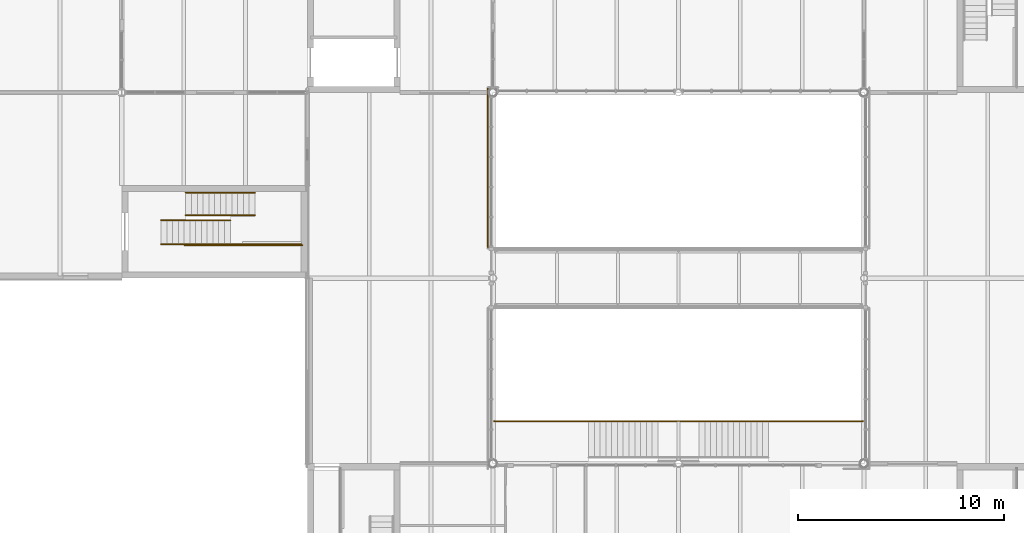
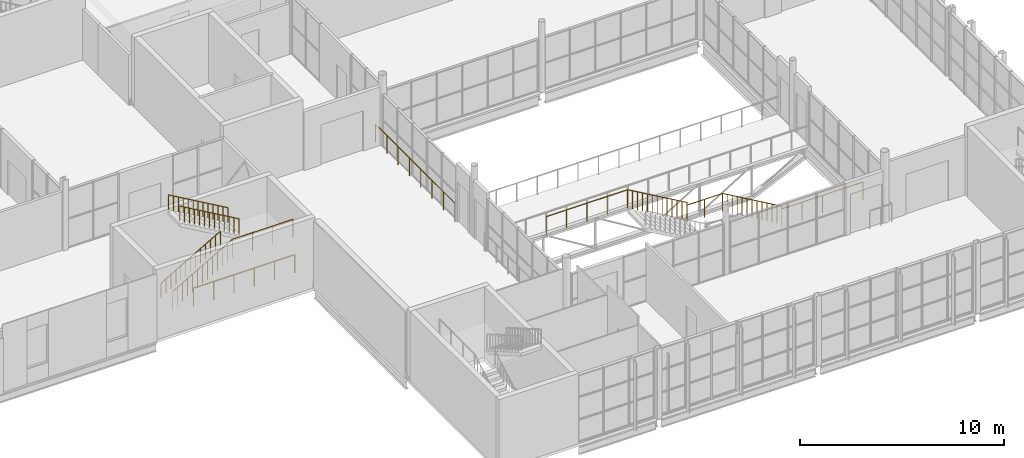
# One storey, part 57 of 61: 8 railings.
"""IFC4 building model written with IfcOpenShell, lengths in metres."""

from ifc_helpers import new_model, si_unit, direction, frame, origin, origin_2d, place, context, subcontext, project, spatial, circle, extrude, material, type_object, element, save


model = new_model("IFC4")

# Units and contexts
model_context = context("Model", 3, precision=1e-05, world=origin(), true_north=direction((0.0, 1.0)))
body_context = subcontext(model_context, "Body", "Model", "MODEL_VIEW")
ifc_project = project(units=[si_unit("LENGTHUNIT", "METRE"), si_unit("AREAUNIT", "SQUARE_METRE"), si_unit("VOLUMEUNIT", "CUBIC_METRE"), si_unit("PLANEANGLEUNIT", "RADIAN"), si_unit("MASSUNIT", "GRAM", prefix="KILO")], contexts=[model_context])

# Site, building, storey
site_placement = place(None, origin())
site = spatial("IfcSite", under=ifc_project, at=site_placement, CompositionType="ELEMENT")
building_placement = place(site_placement, origin())
building = spatial("IfcBuilding", under=site, at=building_placement, Name="Halyard Row Museum", CompositionType="ELEMENT")
storey_placement = place(building_placement, frame((0.0, 0.0, 9.199951171875)))
storey = spatial("IfcBuildingStorey", under=building, at=storey_placement, Name="L02", CompositionType="ELEMENT", Elevation=9.199951171875)

# Railings
ifc_material_1 = material(Name="Steel Grade 300", Category="steel")
railing_type_1 = type_object("IfcRailingType", Name="Guard GR2 steel balustrade 1100", PredefinedType="GUARDRAIL", material=ifc_material_1)
railing_1_placement = place(storey_placement, frame((64.89990234375, 19.64990234375, 0.16162109375)))
element("IfcRailing", 1, at=railing_1_placement, inside=storey, type_object=railing_type_1, Name="Guard GR025", PredefinedType="GUARDRAIL", context=body_context, shape_type="SweptSolid", body=[
    extrude(circle(Radius=0.02392578125, at=origin_2d()), frame((0.0, 0.0, 1.076171875), z_axis=(0.86609757561, 0.0, 0.499874973892), x_axis=(0.0, 1.0, 0.0)), (0.0, 0.0, 1.0), 0.3232421875),
    extrude(circle(Radius=0.02392578125, at=origin_2d()), frame((0.280029296875, 0.0, 1.23779296875), z_axis=(0.866424426198, 0.0, 0.49930823515), x_axis=(0.0, 1.0, 0.0)), (0.0, 0.0, 1.0), 0.3232421875),
    extrude(circle(Radius=0.02392578125, at=origin_2d()), frame((0.56005859375, 0.0, 1.39892578125), z_axis=(0.86609757561, 0.0, 0.499874973892), x_axis=(0.0, 1.0, 0.0)), (0.0, 0.0, 1.0), 0.3232421875),
    extrude(circle(Radius=0.02392578125, at=origin_2d()), frame((0.840087890625, 0.0, 1.560546875), z_axis=(0.86609757561, 0.0, 0.499874973892), x_axis=(0.0, 1.0, 0.0)), (0.0, 0.0, 1.0), 0.3232421875),
    extrude(circle(Radius=0.02392578125, at=origin_2d()), frame((1.1201171875, 0.0, 1.72216796875), z_axis=(0.866424426198, 0.0, 0.49930823515), x_axis=(0.0, 1.0, 0.0)), (0.0, 0.0, 1.0), 0.3232421875),
    extrude(circle(Radius=0.02392578125, at=origin_2d()), frame((1.400146484375, 0.0, 1.8837890625), z_axis=(0.86609757561, 0.0, 0.499874973892), x_axis=(0.0, 1.0, 0.0)), (0.0, 0.0, 1.0), 0.3232421875),
    extrude(circle(Radius=0.02392578125, at=origin_2d()), frame((1.68017578125, 0.0, 2.04541015625), z_axis=(0.866424426198, 0.0, 0.49930823515), x_axis=(0.0, 1.0, 0.0)), (0.0, 0.0, 1.0), 0.3232421875),
    extrude(circle(Radius=0.02392578125, at=origin_2d()), frame((1.960205078125, 0.0, 2.20654296875), z_axis=(0.865908710228, 0.0, 0.500202064721), x_axis=(0.0, 1.0, 0.0)), (0.0, 0.0, 1.0), 0.322998046875),
    extrude(circle(Radius=0.02392578125, at=origin_2d()), frame((2.239990234375, 0.0, 2.3681640625), z_axis=(0.86609757561, 0.0, 0.499874973892), x_axis=(0.0, 1.0, 0.0)), (0.0, 0.0, 1.0), 0.3232421875),
    extrude(circle(Radius=0.02392578125, at=origin_2d()), frame((2.52001953125, 0.0, 2.52978515625), z_axis=(0.866424426198, 0.0, 0.49930823515), x_axis=(0.0, 1.0, 0.0)), (0.0, 0.0, 1.0), 0.3232421875),
    extrude(circle(Radius=0.02392578125, at=origin_2d()), frame((2.800048828125, 0.0, 2.69140625), z_axis=(0.86609757561, 0.0, 0.499874973892), x_axis=(0.0, 1.0, 0.0)), (0.0, 0.0, 1.0), 0.3232421875),
    extrude(circle(Radius=0.02392578125, at=origin_2d()), frame((3.080078125, 0.0, 2.85302734375), z_axis=(0.86609757561, 0.0, 0.499874973892), x_axis=(0.0, 1.0, 0.0)), (0.0, 0.0, 1.0), 0.3232421875),
    extrude(circle(Radius=0.02099609375, at=origin_2d()), origin(), (0.0, 0.0, 1.0), 1.052001953125),
    extrude(circle(Radius=0.02099609375, at=origin_2d()), frame((0.280029296875, 0.0, 0.16162109375)), (0.0, 0.0, 1.0), 1.052001953125),
    extrude(circle(Radius=0.02099609375, at=origin_2d()), frame((0.56005859375, 0.0, 0.322998046875)), (0.0, 0.0, 1.0), 1.052001953125),
    extrude(circle(Radius=0.02099609375, at=origin_2d()), frame((0.840087890625, 0.0, 0.484619140625)), (0.0, 0.0, 1.0), 1.052001953125),
    extrude(circle(Radius=0.02099609375, at=origin_2d()), frame((1.1201171875, 0.0, 0.646240234375)), (0.0, 0.0, 1.0), 1.052001953125),
    extrude(circle(Radius=0.02099609375, at=origin_2d()), frame((1.400146484375, 0.0, 0.8076171875)), (0.0, 0.0, 1.0), 1.052001953125),
    extrude(circle(Radius=0.02099609375, at=origin_2d()), frame((1.68017578125, 0.0, 0.96923828125)), (0.0, 0.0, 1.0), 1.052001953125),
    extrude(circle(Radius=0.02099609375, at=origin_2d()), frame((1.960205078125, 0.0, 1.130615234375)), (0.0, 0.0, 1.0), 1.052001953125),
    extrude(circle(Radius=0.02099609375, at=origin_2d()), frame((2.239990234375, 0.0, 1.292236328125)), (0.0, 0.0, 1.0), 1.052001953125),
    extrude(circle(Radius=0.02099609375, at=origin_2d()), frame((2.52001953125, 0.0, 1.453857421875)), (0.0, 0.0, 1.0), 1.052001953125),
    extrude(circle(Radius=0.02099609375, at=origin_2d()), frame((2.800048828125, 0.0, 1.615234375)), (0.0, 0.0, 1.0), 1.052001953125),
    extrude(circle(Radius=0.02099609375, at=origin_2d()), frame((3.080078125, 0.0, 1.77685546875)), (0.0, 0.0, 1.0), 1.052001953125),
    extrude(circle(Radius=0.02099609375, at=origin_2d()), frame((3.360107421875, 0.0, 1.9384765625)), (0.0, 0.0, 1.0), 1.052001953125),
])
railing_2_placement = place(storey_placement, frame((68.260009765625, 19.64990234375, 2.10009765625)))
element("IfcRailing", 2, at=railing_2_placement, inside=storey, type_object=railing_type_1, Name="Guard GR026", PredefinedType="GUARDRAIL", context=body_context, shape_type="SweptSolid", body=[
    extrude(circle(Radius=0.02392578125, at=origin_2d()), frame((0.0, 0.0, 1.076171875), z_axis=(1.0, 0.0, 0.0), x_axis=(0.0, 1.0, 0.0)), (0.0, 0.0, 1.0), 3.43994140625),
    extrude(circle(Radius=0.02099609375, at=origin_2d()), origin(), (0.0, 0.0, 1.0), 1.052001953125),
    extrude(circle(Radius=0.02099609375, at=origin_2d()), frame((1.146728515625, 0.0, 0.0)), (0.0, 0.0, 1.0), 1.052001953125),
    extrude(circle(Radius=0.02099609375, at=origin_2d()), frame((2.293212890625, 0.0, 0.0)), (0.0, 0.0, 1.0), 1.052001953125),
    extrude(circle(Radius=0.02099609375, at=origin_2d()), frame((3.43994140625, 0.0, 0.0)), (0.0, 0.0, 1.0), 1.052001953125),
])
railing_3_placement = place(storey_placement, frame((98.949951171875, 11.050048828125, 0.0)))
element("IfcRailing", 3, at=railing_3_placement, inside=storey, type_object=railing_type_1, Name="Guard GR134", PredefinedType="GUARDRAIL", context=body_context, shape_type="SweptSolid", body=[
    extrude(circle(Radius=0.02392578125, at=origin_2d()), frame((0.0, 0.0, 1.076171875), z_axis=(-1.0, 0.0, 0.0), x_axis=(0.0, -1.0, 0.0)), (0.0, 0.0, 1.0), 4.58984375),
    extrude(circle(Radius=0.02392578125, at=origin_2d()), frame((-4.58984375, 0.0, 1.076171875), z_axis=(0.0, 0.0, 1.0), x_axis=(1.0, 0.0, 0.0)), (0.0, 0.0, 1.0), 0.16162109375),
    extrude(circle(Radius=0.02392578125, at=origin_2d()), frame((-4.58984375, 0.0, 1.23779296875), z_axis=(-0.86609757561, 0.0, 0.499874973892), x_axis=(0.0, -1.0, 0.0)), (0.0, 0.0, 1.0), 0.3232421875),
    extrude(circle(Radius=0.02392578125, at=origin_2d()), frame((-4.869873046875, 0.0, 1.3994140625), z_axis=(-0.866424426198, 0.0, 0.49930823515), x_axis=(0.0, -1.0, 0.0)), (0.0, 0.0, 1.0), 0.3232421875),
    extrude(circle(Radius=0.02392578125, at=origin_2d()), frame((-5.14990234375, 0.0, 1.560546875), z_axis=(-0.86609757561, 0.0, 0.499874973892), x_axis=(0.0, -1.0, 0.0)), (0.0, 0.0, 1.0), 0.3232421875),
    extrude(circle(Radius=0.02392578125, at=origin_2d()), frame((-5.429931640625, 0.0, 1.72216796875), z_axis=(-0.86609757561, 0.0, 0.499874973892), x_axis=(0.0, -1.0, 0.0)), (0.0, 0.0, 1.0), 0.3232421875),
    extrude(circle(Radius=0.02392578125, at=origin_2d()), frame((-5.7099609375, 0.0, 1.8837890625), z_axis=(-0.866424426198, 0.0, 0.49930823515), x_axis=(0.0, -1.0, 0.0)), (0.0, 0.0, 1.0), 0.3232421875),
    extrude(circle(Radius=0.02392578125, at=origin_2d()), frame((-5.989990234375, 0.0, 2.04541015625), z_axis=(-0.86609757561, 0.0, 0.499874973892), x_axis=(0.0, -1.0, 0.0)), (0.0, 0.0, 1.0), 0.3232421875),
    extrude(circle(Radius=0.02392578125, at=origin_2d()), frame((-6.27001953125, 0.0, 2.20703125), z_axis=(-0.866424426198, 0.0, 0.49930823515), x_axis=(0.0, -1.0, 0.0)), (0.0, 0.0, 1.0), 0.3232421875),
    extrude(circle(Radius=0.02392578125, at=origin_2d()), frame((-6.550048828125, 0.0, 2.3681640625), z_axis=(-0.865908710228, 0.0, 0.500202064721), x_axis=(0.0, -1.0, 0.0)), (0.0, 0.0, 1.0), 0.322998046875),
    extrude(circle(Radius=0.02392578125, at=origin_2d()), frame((-6.829833984375, 0.0, 2.52978515625), z_axis=(-0.86609757561, 0.0, 0.499874973892), x_axis=(0.0, -1.0, 0.0)), (0.0, 0.0, 1.0), 0.3232421875),
    extrude(circle(Radius=0.02392578125, at=origin_2d()), frame((-7.10986328125, 0.0, 2.69140625), z_axis=(-0.866424426198, 0.0, 0.49930823515), x_axis=(0.0, -1.0, 0.0)), (0.0, 0.0, 1.0), 0.3232421875),
    extrude(circle(Radius=0.02392578125, at=origin_2d()), frame((-7.389892578125, 0.0, 2.85302734375), z_axis=(-0.86609757561, 0.0, 0.499874973892), x_axis=(0.0, -1.0, 0.0)), (0.0, 0.0, 1.0), 0.3232421875),
    extrude(circle(Radius=0.02392578125, at=origin_2d()), frame((-7.669921875, 0.0, 3.0146484375), z_axis=(-0.86609757561, 0.0, 0.499874973892), x_axis=(0.0, -1.0, 0.0)), (0.0, 0.0, 1.0), 0.3232421875),
    extrude(circle(Radius=0.02392578125, at=origin_2d()), frame((-7.949951171875, 0.0, 3.17626953125), z_axis=(-1.0, 0.0, 0.0), x_axis=(0.0, -1.0, 0.0)), (0.0, 0.0, 1.0), 2.0),
    extrude(circle(Radius=0.02392578125, at=origin_2d()), frame((-9.949951171875, 0.0, 3.17626953125), z_axis=(0.0, 0.0, 1.0), x_axis=(1.0, 0.0, 0.0)), (0.0, 0.0, 1.0), 0.161376953125),
    extrude(circle(Radius=0.02392578125, at=origin_2d()), frame((-9.949951171875, 0.0, 3.33740234375), z_axis=(-0.86609757561, 0.0, 0.499874973892), x_axis=(0.0, -1.0, 0.0)), (0.0, 0.0, 1.0), 0.3232421875),
    extrude(circle(Radius=0.02392578125, at=origin_2d()), frame((-10.22998046875, 0.0, 3.4990234375), z_axis=(-0.86609757561, 0.0, 0.499874973892), x_axis=(0.0, -1.0, 0.0)), (0.0, 0.0, 1.0), 0.3232421875),
    extrude(circle(Radius=0.02392578125, at=origin_2d()), frame((-10.510009765625, 0.0, 3.66064453125), z_axis=(-0.866424426198, 0.0, 0.49930823515), x_axis=(0.0, -1.0, 0.0)), (0.0, 0.0, 1.0), 0.3232421875),
    extrude(circle(Radius=0.02392578125, at=origin_2d()), frame((-10.7900390625, 0.0, 3.822265625), z_axis=(-0.86609757561, 0.0, 0.499874973892), x_axis=(0.0, -1.0, 0.0)), (0.0, 0.0, 1.0), 0.3232421875),
    extrude(circle(Radius=0.02392578125, at=origin_2d()), frame((-11.070068359375, 0.0, 3.98388671875), z_axis=(-0.865908710228, 0.0, 0.500202064721), x_axis=(0.0, -1.0, 0.0)), (0.0, 0.0, 1.0), 0.322998046875),
    extrude(circle(Radius=0.02392578125, at=origin_2d()), frame((-11.349853515625, 0.0, 4.1455078125), z_axis=(-0.866424426198, 0.0, 0.49930823515), x_axis=(0.0, -1.0, 0.0)), (0.0, 0.0, 1.0), 0.3232421875),
    extrude(circle(Radius=0.02392578125, at=origin_2d()), frame((-11.6298828125, 0.0, 4.306640625), z_axis=(-0.86609757561, 0.0, 0.499874973892), x_axis=(0.0, -1.0, 0.0)), (0.0, 0.0, 1.0), 0.3232421875),
    extrude(circle(Radius=0.02392578125, at=origin_2d()), frame((-11.909912109375, 0.0, 4.46826171875), z_axis=(-0.86609757561, 0.0, 0.499874973892), x_axis=(0.0, -1.0, 0.0)), (0.0, 0.0, 1.0), 0.3232421875),
    extrude(circle(Radius=0.02392578125, at=origin_2d()), frame((-12.18994140625, 0.0, 4.6298828125), z_axis=(-0.866424426198, 0.0, 0.49930823515), x_axis=(0.0, -1.0, 0.0)), (0.0, 0.0, 1.0), 0.3232421875),
    extrude(circle(Radius=0.02392578125, at=origin_2d()), frame((-12.469970703125, 0.0, 4.79150390625), z_axis=(-0.86609757561, 0.0, 0.499874973892), x_axis=(0.0, -1.0, 0.0)), (0.0, 0.0, 1.0), 0.3232421875),
    extrude(circle(Radius=0.02392578125, at=origin_2d()), frame((-12.75, 0.0, 4.953125), z_axis=(-0.86609757561, 0.0, 0.499874973892), x_axis=(0.0, -1.0, 0.0)), (0.0, 0.0, 1.0), 0.3232421875),
    extrude(circle(Radius=0.02392578125, at=origin_2d()), frame((-13.030029296875, 0.0, 5.11474609375), z_axis=(-0.866424426198, 0.0, 0.49930823515), x_axis=(0.0, -1.0, 0.0)), (0.0, 0.0, 1.0), 0.3232421875),
    extrude(circle(Radius=0.02392578125, at=origin_2d()), frame((-13.31005859375, 0.0, 5.27587890625), z_axis=(-1.0, 0.0, 0.0), x_axis=(0.0, -1.0, 0.0)), (0.0, 0.0, 1.0), 4.58984375),
    extrude(circle(Radius=0.02099609375, at=origin_2d()), origin(), (0.0, 0.0, 1.0), 1.052001953125),
    extrude(circle(Radius=0.02099609375, at=origin_2d()), frame((-1.1474609375, 0.0, 0.0)), (0.0, 0.0, 1.0), 1.052001953125),
    extrude(circle(Radius=0.02099609375, at=origin_2d()), frame((-2.294921875, 0.0, 0.0)), (0.0, 0.0, 1.0), 1.052001953125),
    extrude(circle(Radius=0.02099609375, at=origin_2d()), frame((-3.4423828125, 0.0, 0.0)), (0.0, 0.0, 1.0), 1.052001953125),
    extrude(circle(Radius=0.02099609375, at=origin_2d()), frame((-4.58984375, 0.0, 0.0)), (0.0, 0.0, 1.0), 1.052001953125),
    extrude(circle(Radius=0.02099609375, at=origin_2d()), frame((-4.58984375, 0.0, 0.16162109375)), (0.0, 0.0, 1.0), 1.052001953125),
    extrude(circle(Radius=0.02099609375, at=origin_2d()), frame((-4.869873046875, 0.0, 0.3232421875)), (0.0, 0.0, 1.0), 1.052001953125),
    extrude(circle(Radius=0.02099609375, at=origin_2d()), frame((-5.14990234375, 0.0, 0.484619140625)), (0.0, 0.0, 1.0), 1.052001953125),
    extrude(circle(Radius=0.02099609375, at=origin_2d()), frame((-5.429931640625, 0.0, 0.646240234375)), (0.0, 0.0, 1.0), 1.052001953125),
    extrude(circle(Radius=0.02099609375, at=origin_2d()), frame((-5.7099609375, 0.0, 0.807861328125)), (0.0, 0.0, 1.0), 1.052001953125),
    extrude(circle(Radius=0.02099609375, at=origin_2d()), frame((-5.989990234375, 0.0, 0.96923828125)), (0.0, 0.0, 1.0), 1.052001953125),
    extrude(circle(Radius=0.02099609375, at=origin_2d()), frame((-6.27001953125, 0.0, 1.130859375)), (0.0, 0.0, 1.0), 1.052001953125),
    extrude(circle(Radius=0.02099609375, at=origin_2d()), frame((-6.550048828125, 0.0, 1.292236328125)), (0.0, 0.0, 1.0), 1.052001953125),
    extrude(circle(Radius=0.02099609375, at=origin_2d()), frame((-6.829833984375, 0.0, 1.453857421875)), (0.0, 0.0, 1.0), 1.052001953125),
    extrude(circle(Radius=0.02099609375, at=origin_2d()), frame((-7.10986328125, 0.0, 1.615478515625)), (0.0, 0.0, 1.0), 1.052001953125),
    extrude(circle(Radius=0.02099609375, at=origin_2d()), frame((-7.389892578125, 0.0, 1.77685546875)), (0.0, 0.0, 1.0), 1.052001953125),
    extrude(circle(Radius=0.02099609375, at=origin_2d()), frame((-7.669921875, 0.0, 1.9384765625)), (0.0, 0.0, 1.0), 1.052001953125),
    extrude(circle(Radius=0.02099609375, at=origin_2d()), frame((-7.949951171875, 0.0, 2.10009765625)), (0.0, 0.0, 1.0), 1.052001953125),
    extrude(circle(Radius=0.02099609375, at=origin_2d()), frame((-8.949951171875, 0.0, 2.10009765625)), (0.0, 0.0, 1.0), 1.052001953125),
    extrude(circle(Radius=0.02099609375, at=origin_2d()), frame((-9.949951171875, 0.0, 2.10009765625)), (0.0, 0.0, 1.0), 1.052001953125),
    extrude(circle(Radius=0.02099609375, at=origin_2d()), frame((-9.949951171875, 0.0, 2.261474609375)), (0.0, 0.0, 1.0), 1.052001953125),
    extrude(circle(Radius=0.02099609375, at=origin_2d()), frame((-10.22998046875, 0.0, 2.423095703125)), (0.0, 0.0, 1.0), 1.052001953125),
    extrude(circle(Radius=0.02099609375, at=origin_2d()), frame((-10.510009765625, 0.0, 2.584716796875)), (0.0, 0.0, 1.0), 1.052001953125),
    extrude(circle(Radius=0.02099609375, at=origin_2d()), frame((-10.7900390625, 0.0, 2.74609375)), (0.0, 0.0, 1.0), 1.052001953125),
    extrude(circle(Radius=0.02099609375, at=origin_2d()), frame((-11.070068359375, 0.0, 2.90771484375)), (0.0, 0.0, 1.0), 1.052001953125),
    extrude(circle(Radius=0.02099609375, at=origin_2d()), frame((-11.349853515625, 0.0, 3.0693359375)), (0.0, 0.0, 1.0), 1.052001953125),
    extrude(circle(Radius=0.02099609375, at=origin_2d()), frame((-11.6298828125, 0.0, 3.230712890625)), (0.0, 0.0, 1.0), 1.052001953125),
    extrude(circle(Radius=0.02099609375, at=origin_2d()), frame((-11.909912109375, 0.0, 3.392333984375)), (0.0, 0.0, 1.0), 1.052001953125),
    extrude(circle(Radius=0.02099609375, at=origin_2d()), frame((-12.18994140625, 0.0, 3.553955078125)), (0.0, 0.0, 1.0), 1.052001953125),
    extrude(circle(Radius=0.02099609375, at=origin_2d()), frame((-12.469970703125, 0.0, 3.71533203125)), (0.0, 0.0, 1.0), 1.052001953125),
    extrude(circle(Radius=0.02099609375, at=origin_2d()), frame((-12.75, 0.0, 3.876953125)), (0.0, 0.0, 1.0), 1.052001953125),
    extrude(circle(Radius=0.02099609375, at=origin_2d()), frame((-13.030029296875, 0.0, 4.03857421875)), (0.0, 0.0, 1.0), 1.052001953125),
    extrude(circle(Radius=0.02099609375, at=origin_2d()), frame((-13.31005859375, 0.0, 4.199951171875)), (0.0, 0.0, 1.0), 1.052001953125),
    extrude(circle(Radius=0.02099609375, at=origin_2d()), frame((-14.45751953125, 0.0, 4.199951171875)), (0.0, 0.0, 1.0), 1.052001953125),
    extrude(circle(Radius=0.02099609375, at=origin_2d()), frame((-15.60498046875, 0.0, 4.199951171875)), (0.0, 0.0, 1.0), 1.052001953125),
    extrude(circle(Radius=0.02099609375, at=origin_2d()), frame((-16.75244140625, 0.0, 4.199951171875)), (0.0, 0.0, 1.0), 1.052001953125),
    extrude(circle(Radius=0.02099609375, at=origin_2d()), frame((-17.89990234375, 0.0, 4.199951171875)), (0.0, 0.0, 1.0), 1.052001953125),
])
railing_4_placement = place(storey_placement, frame((71.760009765625, 19.590087890625, 0.0)))
element("IfcRailing", 4, at=railing_4_placement, inside=storey, type_object=railing_type_1, Name="Guard GR148", PredefinedType="GUARDRAIL", context=body_context, shape_type="SweptSolid", body=[
    extrude(circle(Radius=0.02392578125, at=origin_2d()), frame((0.0, 0.0, 1.076171875), z_axis=(-1.0, 0.0, 0.0), x_axis=(0.0, -1.0, 0.0)), (0.0, 0.0, 1.0), 5.719970703125),
    extrude(circle(Radius=0.02099609375, at=origin_2d()), origin(), (0.0, 0.0, 1.0), 1.052001953125),
    extrude(circle(Radius=0.02099609375, at=origin_2d()), frame((-1.14404296875, 0.0, 0.0)), (0.0, 0.0, 1.0), 1.052001953125),
    extrude(circle(Radius=0.02099609375, at=origin_2d()), frame((-2.2880859375, 0.0, 0.0)), (0.0, 0.0, 1.0), 1.052001953125),
    extrude(circle(Radius=0.02099609375, at=origin_2d()), frame((-3.431884765625, 0.0, 0.0)), (0.0, 0.0, 1.0), 1.052001953125),
    extrude(circle(Radius=0.02099609375, at=origin_2d()), frame((-4.575927734375, 0.0, 0.0)), (0.0, 0.0, 1.0), 1.052001953125),
    extrude(circle(Radius=0.02099609375, at=origin_2d()), frame((-5.719970703125, 0.0, 0.0)), (0.0, 0.0, 1.0), 1.052001953125),
])
railing_5_placement = place(storey_placement, frame((80.75, 19.5, 0.0)))
element("IfcRailing", 5, at=railing_5_placement, inside=storey, type_object=railing_type_1, Name="Guard GR201", PredefinedType="GUARDRAIL", context=body_context, shape_type="SweptSolid", body=[
    extrude(circle(Radius=0.02392578125, at=origin_2d()), frame((0.0, 0.0, 1.076171875), z_axis=(0.0, 1.0, 0.0), x_axis=(-1.0, 0.0, 0.0)), (0.0, 0.0, 1.0), 7.75),
    extrude(circle(Radius=0.02099609375, at=origin_2d()), origin(), (0.0, 0.0, 1.0), 1.052001953125),
    extrude(circle(Radius=0.02099609375, at=origin_2d()), frame((0.0, 1.107177734375, 0.0)), (0.0, 0.0, 1.0), 1.052001953125),
    extrude(circle(Radius=0.02099609375, at=origin_2d()), frame((0.0, 2.21435546875, 0.0)), (0.0, 0.0, 1.0), 1.052001953125),
    extrude(circle(Radius=0.02099609375, at=origin_2d()), frame((0.0, 3.321533203125, 0.0)), (0.0, 0.0, 1.0), 1.052001953125),
    extrude(circle(Radius=0.02099609375, at=origin_2d()), frame((0.0, 4.428466796875, 0.0)), (0.0, 0.0, 1.0), 1.052001953125),
    extrude(circle(Radius=0.02099609375, at=origin_2d()), frame((0.0, 5.53564453125, 0.0)), (0.0, 0.0, 1.0), 1.052001953125),
    extrude(circle(Radius=0.02099609375, at=origin_2d()), frame((0.0, 6.642822265625, 0.0)), (0.0, 0.0, 1.0), 1.052001953125),
    extrude(circle(Radius=0.02099609375, at=origin_2d()), frame((0.0, 7.75, 0.0)), (0.0, 0.0, 1.0), 1.052001953125),
])
ifc_material_2 = material(Name="Steel Grade 300", Category="steel")
railing_type_2 = type_object("IfcRailingType", Name="Handrail HR2 steel 900", PredefinedType="HANDRAIL", material=ifc_material_2)
railing_6_placement = place(storey_placement, frame((64.89990234375, 20.800048828125, 0.16162109375)))
element("IfcRailing", 6, at=railing_6_placement, inside=storey, type_object=railing_type_2, Name="Handrail HR037", PredefinedType="HANDRAIL", context=body_context, shape_type="SweptSolid", body=[
    extrude(circle(Radius=0.02392578125, at=origin_2d()), frame((0.0, 0.0, 0.8759765625), z_axis=(0.86609757561, 0.0, 0.499874973892), x_axis=(0.0, 1.0, 0.0)), (0.0, 0.0, 1.0), 0.3232421875),
    extrude(circle(Radius=0.02392578125, at=origin_2d()), frame((0.280029296875, 0.0, 1.03759765625), z_axis=(0.866424426198, 0.0, 0.49930823515), x_axis=(0.0, 1.0, 0.0)), (0.0, 0.0, 1.0), 0.3232421875),
    extrude(circle(Radius=0.02392578125, at=origin_2d()), frame((0.56005859375, 0.0, 1.19873046875), z_axis=(0.86609757561, 0.0, 0.499874973892), x_axis=(0.0, 1.0, 0.0)), (0.0, 0.0, 1.0), 0.3232421875),
    extrude(circle(Radius=0.02392578125, at=origin_2d()), frame((0.840087890625, 0.0, 1.3603515625), z_axis=(0.86609757561, 0.0, 0.499874973892), x_axis=(0.0, 1.0, 0.0)), (0.0, 0.0, 1.0), 0.3232421875),
    extrude(circle(Radius=0.02392578125, at=origin_2d()), frame((1.1201171875, 0.0, 1.52197265625), z_axis=(0.866424426198, 0.0, 0.49930823515), x_axis=(0.0, 1.0, 0.0)), (0.0, 0.0, 1.0), 0.3232421875),
    extrude(circle(Radius=0.02392578125, at=origin_2d()), frame((1.400146484375, 0.0, 1.68359375), z_axis=(0.86609757561, 0.0, 0.499874973892), x_axis=(0.0, 1.0, 0.0)), (0.0, 0.0, 1.0), 0.3232421875),
    extrude(circle(Radius=0.02392578125, at=origin_2d()), frame((1.68017578125, 0.0, 1.84521484375), z_axis=(0.866424426198, 0.0, 0.49930823515), x_axis=(0.0, 1.0, 0.0)), (0.0, 0.0, 1.0), 0.3232421875),
    extrude(circle(Radius=0.02392578125, at=origin_2d()), frame((1.960205078125, 0.0, 2.00634765625), z_axis=(0.865908710228, 0.0, 0.500202064721), x_axis=(0.0, 1.0, 0.0)), (0.0, 0.0, 1.0), 0.322998046875),
    extrude(circle(Radius=0.02392578125, at=origin_2d()), frame((2.239990234375, 0.0, 2.16796875), z_axis=(0.86609757561, 0.0, 0.499874973892), x_axis=(0.0, 1.0, 0.0)), (0.0, 0.0, 1.0), 0.3232421875),
    extrude(circle(Radius=0.02392578125, at=origin_2d()), frame((2.52001953125, 0.0, 2.32958984375), z_axis=(0.866424426198, 0.0, 0.49930823515), x_axis=(0.0, 1.0, 0.0)), (0.0, 0.0, 1.0), 0.3232421875),
    extrude(circle(Radius=0.02392578125, at=origin_2d()), frame((2.800048828125, 0.0, 2.4912109375), z_axis=(0.86609757561, 0.0, 0.499874973892), x_axis=(0.0, 1.0, 0.0)), (0.0, 0.0, 1.0), 0.3232421875),
    extrude(circle(Radius=0.02392578125, at=origin_2d()), frame((3.080078125, 0.0, 2.65283203125), z_axis=(0.86609757561, 0.0, 0.499874973892), x_axis=(0.0, 1.0, 0.0)), (0.0, 0.0, 1.0), 0.3232421875),
    extrude(circle(Radius=0.02099609375, at=origin_2d()), origin(), (0.0, 0.0, 1.0), 0.851806640625),
    extrude(circle(Radius=0.02099609375, at=origin_2d()), frame((0.280029296875, 0.0, 0.16162109375)), (0.0, 0.0, 1.0), 0.851806640625),
    extrude(circle(Radius=0.02099609375, at=origin_2d()), frame((0.56005859375, 0.0, 0.322998046875)), (0.0, 0.0, 1.0), 0.851806640625),
    extrude(circle(Radius=0.02099609375, at=origin_2d()), frame((0.840087890625, 0.0, 0.484619140625)), (0.0, 0.0, 1.0), 0.851806640625),
    extrude(circle(Radius=0.02099609375, at=origin_2d()), frame((1.1201171875, 0.0, 0.646240234375)), (0.0, 0.0, 1.0), 0.851806640625),
    extrude(circle(Radius=0.02099609375, at=origin_2d()), frame((1.400146484375, 0.0, 0.8076171875)), (0.0, 0.0, 1.0), 0.851806640625),
    extrude(circle(Radius=0.02099609375, at=origin_2d()), frame((1.68017578125, 0.0, 0.96923828125)), (0.0, 0.0, 1.0), 0.851806640625),
    extrude(circle(Radius=0.02099609375, at=origin_2d()), frame((1.960205078125, 0.0, 1.130615234375)), (0.0, 0.0, 1.0), 0.851806640625),
    extrude(circle(Radius=0.02099609375, at=origin_2d()), frame((2.239990234375, 0.0, 1.292236328125)), (0.0, 0.0, 1.0), 0.851806640625),
    extrude(circle(Radius=0.02099609375, at=origin_2d()), frame((2.52001953125, 0.0, 1.453857421875)), (0.0, 0.0, 1.0), 0.851806640625),
    extrude(circle(Radius=0.02099609375, at=origin_2d()), frame((2.800048828125, 0.0, 1.615234375)), (0.0, 0.0, 1.0), 0.851806640625),
    extrude(circle(Radius=0.02099609375, at=origin_2d()), frame((3.080078125, 0.0, 1.77685546875)), (0.0, 0.0, 1.0), 0.851806640625),
    extrude(circle(Radius=0.02099609375, at=origin_2d()), frame((3.360107421875, 0.0, 1.9384765625)), (0.0, 0.0, 1.0), 0.851806640625),
])
railing_7_placement = place(storey_placement, frame((69.4599609375, 22.14990234375, 2.261474609375)))
element("IfcRailing", 7, at=railing_7_placement, inside=storey, type_object=railing_type_2, Name="Handrail HR038", PredefinedType="HANDRAIL", context=body_context, shape_type="SweptSolid", body=[
    extrude(circle(Radius=0.02392578125, at=origin_2d()), frame((0.0, 0.0, 0.8759765625), z_axis=(-0.86609757561, 0.0, 0.499874973892), x_axis=(0.0, -1.0, 0.0)), (0.0, 0.0, 1.0), 0.3232421875),
    extrude(circle(Radius=0.02392578125, at=origin_2d()), frame((-0.280029296875, 0.0, 1.03759765625), z_axis=(-0.86609757561, 0.0, 0.499874973892), x_axis=(0.0, -1.0, 0.0)), (0.0, 0.0, 1.0), 0.3232421875),
    extrude(circle(Radius=0.02392578125, at=origin_2d()), frame((-0.56005859375, 0.0, 1.19921875), z_axis=(-0.866235917577, 0.0, 0.499635202023), x_axis=(0.0, -1.0, 0.0)), (0.0, 0.0, 1.0), 0.322998046875),
    extrude(circle(Radius=0.02392578125, at=origin_2d()), frame((-0.83984375, 0.0, 1.3603515625), z_axis=(-0.86609757561, 0.0, 0.499874973892), x_axis=(0.0, -1.0, 0.0)), (0.0, 0.0, 1.0), 0.3232421875),
    extrude(circle(Radius=0.02392578125, at=origin_2d()), frame((-1.119873046875, 0.0, 1.52197265625), z_axis=(-0.86609757561, 0.0, 0.499874973892), x_axis=(0.0, -1.0, 0.0)), (0.0, 0.0, 1.0), 0.3232421875),
    extrude(circle(Radius=0.02392578125, at=origin_2d()), frame((-1.39990234375, 0.0, 1.68359375), z_axis=(-0.866424426198, 0.0, 0.49930823515), x_axis=(0.0, -1.0, 0.0)), (0.0, 0.0, 1.0), 0.3232421875),
    extrude(circle(Radius=0.02392578125, at=origin_2d()), frame((-1.679931640625, 0.0, 1.84521484375), z_axis=(-0.86609757561, 0.0, 0.499874973892), x_axis=(0.0, -1.0, 0.0)), (0.0, 0.0, 1.0), 0.3232421875),
    extrude(circle(Radius=0.02392578125, at=origin_2d()), frame((-1.9599609375, 0.0, 2.0068359375), z_axis=(-0.86609757561, 0.0, 0.499874973892), x_axis=(0.0, -1.0, 0.0)), (0.0, 0.0, 1.0), 0.3232421875),
    extrude(circle(Radius=0.02392578125, at=origin_2d()), frame((-2.239990234375, 0.0, 2.16845703125), z_axis=(-0.866424426198, 0.0, 0.49930823515), x_axis=(0.0, -1.0, 0.0)), (0.0, 0.0, 1.0), 0.3232421875),
    extrude(circle(Radius=0.02392578125, at=origin_2d()), frame((-2.52001953125, 0.0, 2.32958984375), z_axis=(-0.86609757561, 0.0, 0.499874973892), x_axis=(0.0, -1.0, 0.0)), (0.0, 0.0, 1.0), 0.3232421875),
    extrude(circle(Radius=0.02392578125, at=origin_2d()), frame((-2.800048828125, 0.0, 2.4912109375), z_axis=(-0.86609757561, 0.0, 0.499874973892), x_axis=(0.0, -1.0, 0.0)), (0.0, 0.0, 1.0), 0.3232421875),
    extrude(circle(Radius=0.02392578125, at=origin_2d()), frame((-3.080078125, 0.0, 2.65283203125), z_axis=(-0.866235917577, 0.0, 0.499635202023), x_axis=(0.0, -1.0, 0.0)), (0.0, 0.0, 1.0), 0.322998046875),
    extrude(circle(Radius=0.02099609375, at=origin_2d()), origin(), (0.0, 0.0, 1.0), 0.851806640625),
    extrude(circle(Radius=0.02099609375, at=origin_2d()), frame((-0.280029296875, 0.0, 0.16162109375)), (0.0, 0.0, 1.0), 0.851806640625),
    extrude(circle(Radius=0.02099609375, at=origin_2d()), frame((-0.56005859375, 0.0, 0.3232421875)), (0.0, 0.0, 1.0), 0.851806640625),
    extrude(circle(Radius=0.02099609375, at=origin_2d()), frame((-0.83984375, 0.0, 0.484619140625)), (0.0, 0.0, 1.0), 0.851806640625),
    extrude(circle(Radius=0.02099609375, at=origin_2d()), frame((-1.119873046875, 0.0, 0.646240234375)), (0.0, 0.0, 1.0), 0.851806640625),
    extrude(circle(Radius=0.02099609375, at=origin_2d()), frame((-1.39990234375, 0.0, 0.807861328125)), (0.0, 0.0, 1.0), 0.851806640625),
    extrude(circle(Radius=0.02099609375, at=origin_2d()), frame((-1.679931640625, 0.0, 0.96923828125)), (0.0, 0.0, 1.0), 0.851806640625),
    extrude(circle(Radius=0.02099609375, at=origin_2d()), frame((-1.9599609375, 0.0, 1.130859375)), (0.0, 0.0, 1.0), 0.851806640625),
    extrude(circle(Radius=0.02099609375, at=origin_2d()), frame((-2.239990234375, 0.0, 1.29248046875)), (0.0, 0.0, 1.0), 0.851806640625),
    extrude(circle(Radius=0.02099609375, at=origin_2d()), frame((-2.52001953125, 0.0, 1.453857421875)), (0.0, 0.0, 1.0), 0.851806640625),
    extrude(circle(Radius=0.02099609375, at=origin_2d()), frame((-2.800048828125, 0.0, 1.615478515625)), (0.0, 0.0, 1.0), 0.851806640625),
    extrude(circle(Radius=0.02099609375, at=origin_2d()), frame((-3.080078125, 0.0, 1.777099609375)), (0.0, 0.0, 1.0), 0.851806640625),
    extrude(circle(Radius=0.02099609375, at=origin_2d()), frame((-3.35986328125, 0.0, 1.9384765625)), (0.0, 0.0, 1.0), 0.851806640625),
])
railing_8_placement = place(storey_placement, frame((69.4599609375, 21.050048828125, 2.261474609375)))
element("IfcRailing", 8, at=railing_8_placement, inside=storey, type_object=railing_type_2, Name="Handrail HR039", PredefinedType="HANDRAIL", context=body_context, shape_type="SweptSolid", body=[
    extrude(circle(Radius=0.02392578125, at=origin_2d()), frame((0.0, 0.0, 0.8759765625), z_axis=(-0.86609757561, 0.0, 0.499874973892), x_axis=(0.0, -1.0, 0.0)), (0.0, 0.0, 1.0), 0.3232421875),
    extrude(circle(Radius=0.02392578125, at=origin_2d()), frame((-0.280029296875, 0.0, 1.03759765625), z_axis=(-0.86609757561, 0.0, 0.499874973892), x_axis=(0.0, -1.0, 0.0)), (0.0, 0.0, 1.0), 0.3232421875),
    extrude(circle(Radius=0.02392578125, at=origin_2d()), frame((-0.56005859375, 0.0, 1.19921875), z_axis=(-0.866235917577, 0.0, 0.499635202023), x_axis=(0.0, -1.0, 0.0)), (0.0, 0.0, 1.0), 0.322998046875),
    extrude(circle(Radius=0.02392578125, at=origin_2d()), frame((-0.83984375, 0.0, 1.3603515625), z_axis=(-0.86609757561, 0.0, 0.499874973892), x_axis=(0.0, -1.0, 0.0)), (0.0, 0.0, 1.0), 0.3232421875),
    extrude(circle(Radius=0.02392578125, at=origin_2d()), frame((-1.119873046875, 0.0, 1.52197265625), z_axis=(-0.86609757561, 0.0, 0.499874973892), x_axis=(0.0, -1.0, 0.0)), (0.0, 0.0, 1.0), 0.3232421875),
    extrude(circle(Radius=0.02392578125, at=origin_2d()), frame((-1.39990234375, 0.0, 1.68359375), z_axis=(-0.866424426198, 0.0, 0.49930823515), x_axis=(0.0, -1.0, 0.0)), (0.0, 0.0, 1.0), 0.3232421875),
    extrude(circle(Radius=0.02392578125, at=origin_2d()), frame((-1.679931640625, 0.0, 1.84521484375), z_axis=(-0.86609757561, 0.0, 0.499874973892), x_axis=(0.0, -1.0, 0.0)), (0.0, 0.0, 1.0), 0.3232421875),
    extrude(circle(Radius=0.02392578125, at=origin_2d()), frame((-1.9599609375, 0.0, 2.0068359375), z_axis=(-0.86609757561, 0.0, 0.499874973892), x_axis=(0.0, -1.0, 0.0)), (0.0, 0.0, 1.0), 0.3232421875),
    extrude(circle(Radius=0.02392578125, at=origin_2d()), frame((-2.239990234375, 0.0, 2.16845703125), z_axis=(-0.866424426198, 0.0, 0.49930823515), x_axis=(0.0, -1.0, 0.0)), (0.0, 0.0, 1.0), 0.3232421875),
    extrude(circle(Radius=0.02392578125, at=origin_2d()), frame((-2.52001953125, 0.0, 2.32958984375), z_axis=(-0.86609757561, 0.0, 0.499874973892), x_axis=(0.0, -1.0, 0.0)), (0.0, 0.0, 1.0), 0.3232421875),
    extrude(circle(Radius=0.02392578125, at=origin_2d()), frame((-2.800048828125, 0.0, 2.4912109375), z_axis=(-0.86609757561, 0.0, 0.499874973892), x_axis=(0.0, -1.0, 0.0)), (0.0, 0.0, 1.0), 0.3232421875),
    extrude(circle(Radius=0.02392578125, at=origin_2d()), frame((-3.080078125, 0.0, 2.65283203125), z_axis=(-0.866235917577, 0.0, 0.499635202023), x_axis=(0.0, -1.0, 0.0)), (0.0, 0.0, 1.0), 0.322998046875),
    extrude(circle(Radius=0.02099609375, at=origin_2d()), origin(), (0.0, 0.0, 1.0), 0.851806640625),
    extrude(circle(Radius=0.02099609375, at=origin_2d()), frame((-0.280029296875, 0.0, 0.16162109375)), (0.0, 0.0, 1.0), 0.851806640625),
    extrude(circle(Radius=0.02099609375, at=origin_2d()), frame((-0.56005859375, 0.0, 0.3232421875)), (0.0, 0.0, 1.0), 0.851806640625),
    extrude(circle(Radius=0.02099609375, at=origin_2d()), frame((-0.83984375, 0.0, 0.484619140625)), (0.0, 0.0, 1.0), 0.851806640625),
    extrude(circle(Radius=0.02099609375, at=origin_2d()), frame((-1.119873046875, 0.0, 0.646240234375)), (0.0, 0.0, 1.0), 0.851806640625),
    extrude(circle(Radius=0.02099609375, at=origin_2d()), frame((-1.39990234375, 0.0, 0.807861328125)), (0.0, 0.0, 1.0), 0.851806640625),
    extrude(circle(Radius=0.02099609375, at=origin_2d()), frame((-1.679931640625, 0.0, 0.96923828125)), (0.0, 0.0, 1.0), 0.851806640625),
    extrude(circle(Radius=0.02099609375, at=origin_2d()), frame((-1.9599609375, 0.0, 1.130859375)), (0.0, 0.0, 1.0), 0.851806640625),
    extrude(circle(Radius=0.02099609375, at=origin_2d()), frame((-2.239990234375, 0.0, 1.29248046875)), (0.0, 0.0, 1.0), 0.851806640625),
    extrude(circle(Radius=0.02099609375, at=origin_2d()), frame((-2.52001953125, 0.0, 1.453857421875)), (0.0, 0.0, 1.0), 0.851806640625),
    extrude(circle(Radius=0.02099609375, at=origin_2d()), frame((-2.800048828125, 0.0, 1.615478515625)), (0.0, 0.0, 1.0), 0.851806640625),
    extrude(circle(Radius=0.02099609375, at=origin_2d()), frame((-3.080078125, 0.0, 1.777099609375)), (0.0, 0.0, 1.0), 0.851806640625),
    extrude(circle(Radius=0.02099609375, at=origin_2d()), frame((-3.35986328125, 0.0, 1.9384765625)), (0.0, 0.0, 1.0), 0.851806640625),
])

save(model, "model.ifc")
